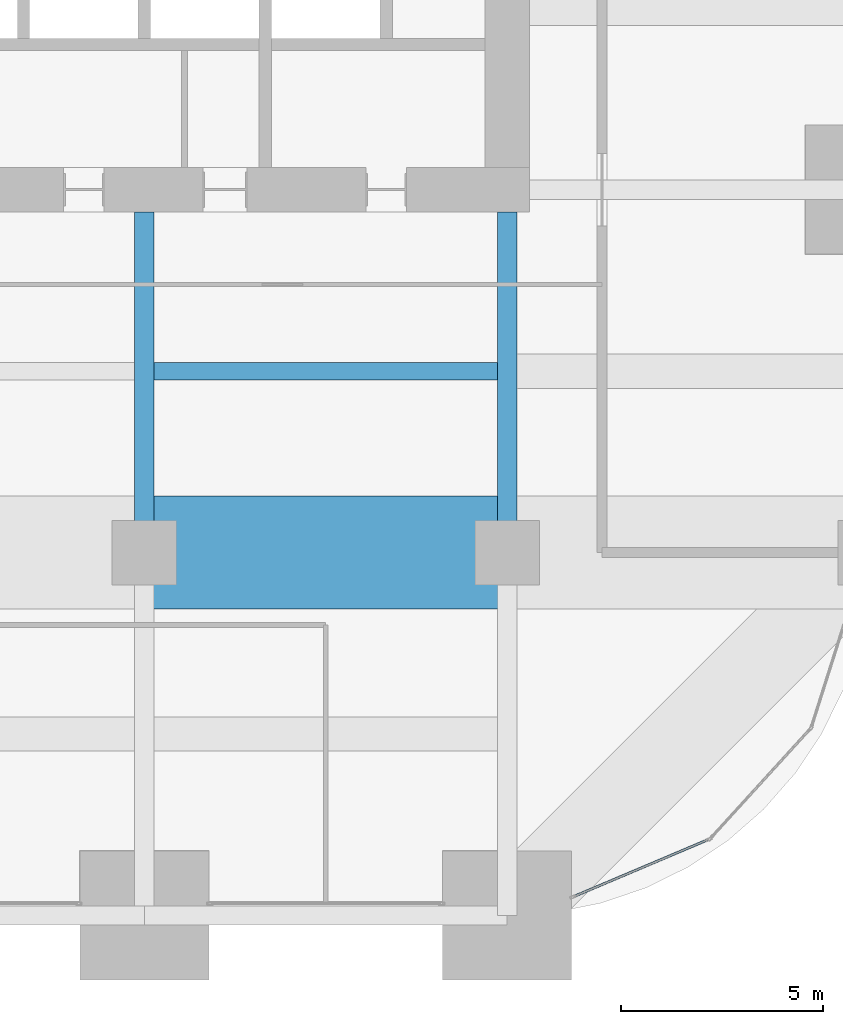
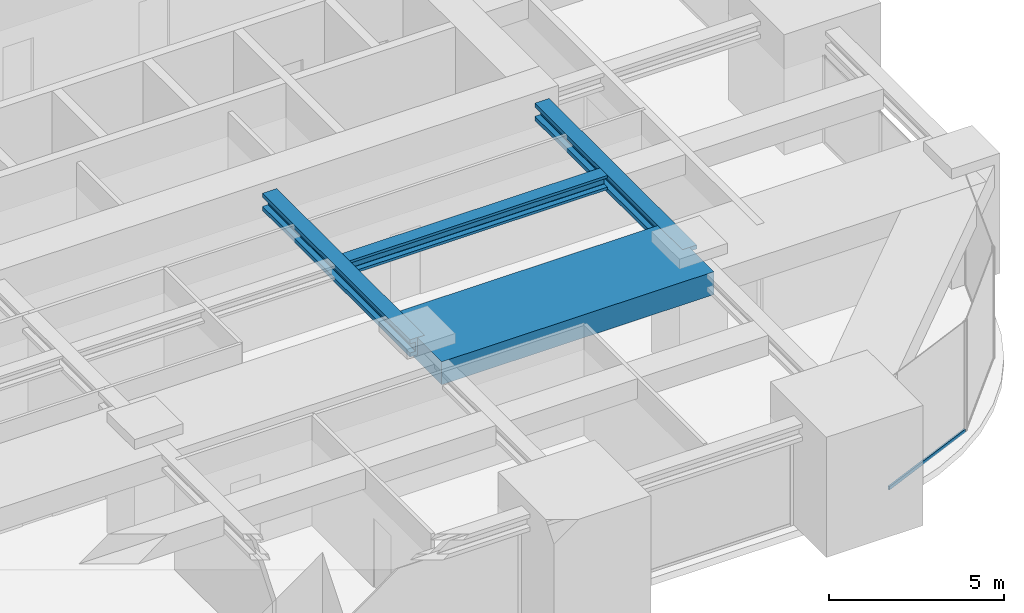
# One storey, part 16 of 39: 4 beams, 1 member, 1 element without a shape of its own.
"""IFC4 building model written with IfcOpenShell, lengths in metres."""

from ifc_helpers import new_model, si_unit, direction, frame, origin, origin_2d, place, context, subcontext, project, spatial, rectangle, hollow_rectangle, i_section, extrude, material, material_profile, profile_set, type_object, element, aggregate, save


model = new_model("IFC4")

# Units and contexts
model_context = context("Model", 3, precision=1e-05, world=origin(), true_north=direction((0.0, 1.0)))
body_context = subcontext(model_context, "Body", "Model", "MODEL_VIEW")
ifc_project = project(units=[si_unit("LENGTHUNIT", "METRE"), si_unit("AREAUNIT", "SQUARE_METRE"), si_unit("VOLUMEUNIT", "CUBIC_METRE"), si_unit("PLANEANGLEUNIT", "RADIAN"), si_unit("MASSUNIT", "GRAM", prefix="KILO")], contexts=[model_context])

# Site, building, storey
site_placement = place(None, origin())
site = spatial("IfcSite", under=ifc_project, at=site_placement, CompositionType="ELEMENT")
building_placement = place(site_placement, origin())
building = spatial("IfcBuilding", under=site, at=building_placement, Name="Zorevar Civic Tower", CompositionType="ELEMENT")
storey_placement = place(building_placement, frame((0.0, 0.0, 230.199951171875)))
storey = spatial("IfcBuildingStorey", under=building, at=storey_placement, Name="L56", CompositionType="ELEMENT", Elevation=230.199951171875)

# Beam
ifc_material_1 = material(Name="Concrete C50/60", Category="concrete")
ifc_material_profile_1 = material_profile(ifc_material_1, rectangle(XDim=2.800048828125, YDim=0.800048828125, at=origin_2d()), Name="RC 2800x800")
ifc_profile_set_1 = profile_set([ifc_material_profile_1], Name="Concrete C50/60")
beam_type_1 = type_object("IfcBeamType", Name="Beam RC 2800x800", PredefinedType="BEAM", material=ifc_profile_set_1)
beam_1_placement = place(storey_placement, frame((36.0, 9.0, 3.449951171875), z_axis=(1.0, 0.0, 0.0), x_axis=(0.0, 1.0, 0.0)))
element("IfcBeam", 1, at=beam_1_placement, inside=storey, type_object=beam_type_1, Name="Girder L57", PredefinedType="BEAM", context=body_context, shape_type="SweptSolid", body=[
    extrude(rectangle(XDim=2.800048828125, YDim=0.800048828125, at=origin_2d()), origin(), (0.0, 0.0, 1.0), 9.0),
])

# Curtain wall, member
ifc_material_2 = material(Name="Dark grey solar-control glass in black aluminium frame", Category="aluminium")
curtain_wall_type = type_object("IfcCurtainWallType", Name="Curtain wall CW4 high zone", PredefinedType="NOTDEFINED", material=ifc_material_2)
curtain_wall_placement = place(storey_placement, origin())
curtain_wall = element("IfcCurtainWall", 2, at=curtain_wall_placement, inside=storey, type_object=curtain_wall_type, Name="CW4 L56", PredefinedType="NOTDEFINED")
ifc_material_3 = material(Name="Aluminium, black anodised", Category="aluminium")
ifc_material_profile_2 = material_profile(ifc_material_3, hollow_rectangle(XDim=0.06005859375, YDim=0.1201171875, WallThickness=0.0029296875, at=origin_2d()), Name="AL 120x60x3")
ifc_profile_set_2 = profile_set([ifc_material_profile_2], Name="Aluminium, black anodised")
member_type = type_object("IfcMemberType", Name="CW4 transom AL 120x60x3", PredefinedType="USERDEFINED", material=ifc_profile_set_2)
member_placement = place(storey_placement, frame((46.6552734375, 0.471923828125, 0.030029296875), z_axis=(0.920850301161, 0.389916302368, 0.0), x_axis=(-0.389916302368, 0.920850301161, 0.0)))
member = element("IfcMember", 3, at=member_placement, type_object=member_type, Name="CW4 sill transom", ObjectType="TRANSOM", PredefinedType="USERDEFINED", context=body_context, shape_type="SweptSolid", body=[
    extrude(hollow_rectangle(XDim=0.06005859375, YDim=0.1201171875, WallThickness=0.0029296875, at=origin_2d()), origin(), (0.0, 0.0, 1.0), 3.602783203125),
])
aggregate(curtain_wall, [member])

# Beams
ifc_material_4 = material(Name="Steel S460M (HISTAR 460)", Category="steel")
ifc_material_profile_3 = material_profile(ifc_material_4, i_section(OverallWidth=0.431884765625, OverallDepth=0.498046875, WebThickness=0.0556640625, FlangeThickness=0.0888671875, FilletRadius=0.014892578125, at=origin_2d()), Name="HD 400x744")
ifc_profile_set_3 = profile_set([ifc_material_profile_3], Name="Steel S460M (HISTAR 460)")
beam_type_2 = type_object("IfcBeamType", Name="Core bay beam HD 400x744", PredefinedType="BEAM", material=ifc_profile_set_3)
beam_2_placement = place(storey_placement, frame((36.238037109375, 13.5, 3.60107421875), z_axis=(1.0, 0.0, 0.0), x_axis=(0.0, 1.0, 0.0)))
element("IfcBeam", 4, at=beam_2_placement, inside=storey, type_object=beam_type_2, Name="Secondary beam L57", PredefinedType="BEAM", context=body_context, shape_type="SweptSolid", body=[
    extrude(i_section(OverallWidth=0.431884765625, OverallDepth=0.498046875, WebThickness=0.0556640625, FlangeThickness=0.0888671875, FilletRadius=0.014892578125, at=origin_2d()), origin(), (0.0, 0.0, 1.0), 8.52392578125),
])
ifc_material_5 = material(Name="Steel S460M (HISTAR 460)", Category="steel")
ifc_material_profile_4 = material_profile(ifc_material_5, i_section(OverallWidth=0.47607421875, OverallDepth=0.60009765625, WebThickness=0.10009765625, FlangeThickness=0.139892578125, FilletRadius=0.014892578125, at=origin_2d()), Name="HD 400x1299")
ifc_profile_set_4 = profile_set([ifc_material_profile_4], Name="Steel S460M (HISTAR 460)")
beam_type_3 = type_object("IfcBeamType", Name="Outrigger chord HD 400x1299", PredefinedType="BEAM", material=ifc_profile_set_4)
for number, where, z_axis, x_axis, name in (
    (5, (36.0, 9.0, 3.550048828125), (0.0, 1.0, 0.0), (-1.0, 0.0, 0.0), "Outrigger chord L57"),
    (6, (45.0, 9.0, 3.550048828125), (0.0, 1.0, 0.0), (-1.0, 0.0, 0.0), "Outrigger chord L57"),
):
    element("IfcBeam", number, at=place(storey_placement, frame(where, z_axis=z_axis, x_axis=x_axis)), inside=storey, type_object=beam_type_3, Name=name, PredefinedType="BEAM", context=body_context, shape_type="SweptSolid", body=[
        extrude(i_section(OverallWidth=0.47607421875, OverallDepth=0.60009765625, WebThickness=0.10009765625, FlangeThickness=0.139892578125, FilletRadius=0.014892578125, at=origin_2d()), origin(), (0.0, 0.0, 1.0), 8.449951171875),
    ])

save(model, "model.ifc")
